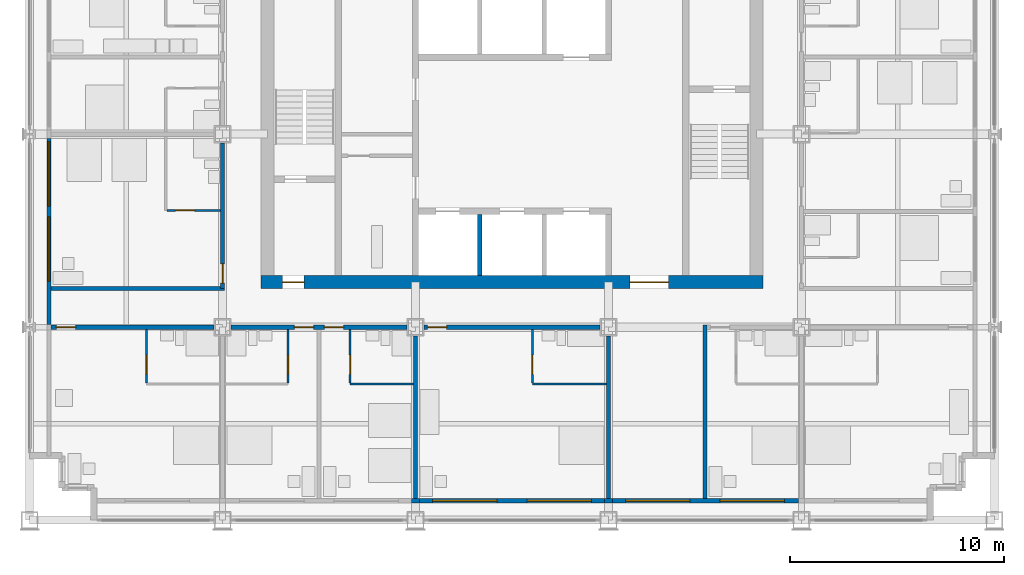
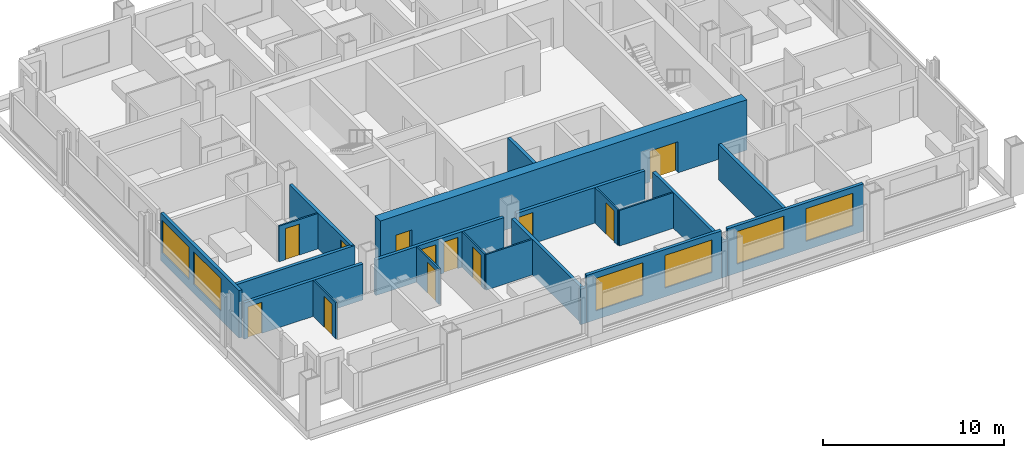
# One storey, part 9 of 17: 22 walls, 12 doors, 6 windows, 18 openings.
"""IFC4 building model written with IfcOpenShell, lengths in metres."""

import ifcopenshell
import ifcopenshell.guid

model = None  # the IFC model being written
_history = None  # IfcOwnerHistory: only IFC2X3 demands one
_inside = {}  # id of a spatial element -> (the spatial element, [elements in it])
_under = {}  # id of a project, library or spatial element -> (it, [spatial elements below it])
_declared = {}  # id of a project -> (the project, [libraries it declares])
_typed = {}  # id of a type object -> (the type object, [elements of that type])
_made_of = {}  # id of a material, layer set ... -> (it, [elements and type objects made of it])


def new_model(schema):
    """Start an empty IFC model of exactly this schema.

    Asked for "IFC4X3", IfcOpenShell would pick the latest addendum, in which some entities
    have other attributes; the version numbers below select the first issue.
    IFC2X3 requires an IfcOwnerHistory on every rooted entity: one is made here for all.
    """
    global model, _history
    if schema == "IFC4X3":
        model = ifcopenshell.file(schema_version=(4, 3, 0, 0))
    else:
        model = ifcopenshell.file(schema=schema)
    _inside.clear()
    _under.clear()
    _declared.clear()
    _typed.clear()
    _made_of.clear()
    _history = None
    if model.schema == "IFC2X3":
        org = make("IfcOrganization", Name="unknown")
        user = make(
            "IfcPersonAndOrganization",
            ThePerson=make("IfcPerson", FamilyName="unknown"),
            TheOrganization=org,
        )
        app = make(
            "IfcApplication",
            ApplicationDeveloper=org,
            Version="unknown",
            ApplicationFullName="unknown",
            ApplicationIdentifier="unknown",
        )
        _history = make(
            "IfcOwnerHistory",
            OwningUser=user,
            OwningApplication=app,
            ChangeAction="ADDED",
            CreationDate=0,
        )
    return model


def make(cls, **values):
    """One entity of the class cls with the attributes given. An attribute that is None is left unset."""
    return model.create_entity(
        cls, **{name: value for name, value in values.items() if value is not None}
    )


def rooted(cls, **values):
    """An entity with a GlobalId (a new one), such as an element, a storey or a relation."""
    return make(cls, GlobalId=ifcopenshell.guid.new(), OwnerHistory=_history, **values)


def si_unit(unit_type, name, prefix=None):
    """IfcSIUnit, for example si_unit("LENGTHUNIT", "METRE", prefix="MILLI")."""
    return make("IfcSIUnit", UnitType=unit_type, Prefix=prefix, Name=name)


def assignment(units):
    """IfcUnitAssignment: the units of a project."""
    return None if units is None else make("IfcUnitAssignment", Units=units)


def point(xyz):
    """IfcCartesianPoint."""
    return None if xyz is None else make("IfcCartesianPoint", Coordinates=xyz)


def direction(xyz):
    """IfcDirection."""
    return None if xyz is None else make("IfcDirection", DirectionRatios=xyz)


def frame(location, z_axis=None, x_axis=None):
    """IfcAxis2Placement3D, a coordinate frame: its origin and axes. An axis left out is left unset."""
    return make(
        "IfcAxis2Placement3D",
        Location=point(location),
        Axis=direction(z_axis),
        RefDirection=direction(x_axis),
    )


def frame_2d(location, x_axis=None):
    """IfcAxis2Placement2D, a coordinate frame in the plane: its origin and x axis."""
    return make(
        "IfcAxis2Placement2D", Location=point(location), RefDirection=direction(x_axis)
    )


def origin():
    """The frame at (0, 0, 0) with its axes left unset."""
    return frame((0.0, 0.0, 0.0))


def place(relative_to, where):
    """IfcLocalPlacement: puts the frame where relative to a parent placement (None: the world)."""
    return make(
        "IfcLocalPlacement", PlacementRelTo=relative_to, RelativePlacement=where
    )


def context(
    kind, dimensions, precision=None, world=None, true_north=None, identifier=None
):
    """IfcGeometricRepresentationContext, for example the 3D "Model" context."""
    return make(
        "IfcGeometricRepresentationContext",
        ContextIdentifier=identifier,
        ContextType=kind,
        CoordinateSpaceDimension=dimensions,
        Precision=precision,
        WorldCoordinateSystem=world,
        TrueNorth=true_north,
    )


def subcontext(parent, identifier, kind, view, scale=None):
    """IfcGeometricRepresentationSubContext, for example "Body" below "Model"."""
    return make(
        "IfcGeometricRepresentationSubContext",
        ContextIdentifier=identifier,
        ContextType=kind,
        ParentContext=parent,
        TargetScale=scale,
        TargetView=view,
    )


def project(units=None, contexts=None):
    """IfcProject with its units and contexts."""
    return rooted(
        "IfcProject",
        Name="project",
        RepresentationContexts=contexts,
        UnitsInContext=assignment(units),
    )


def spatial(cls, under=None, at=None, **own):
    """A site, building, storey or space (cls), placed at a placement, below another one or the project."""
    s = rooted(cls, ObjectPlacement=at, **own)
    if under is not None:
        _under.setdefault(under.id(), (under, []))[1].append(s)
    return s


def profile(cls, at=None, kind="AREA", **sizes):
    """A parametric profile (cls). Its sizes go by their IFC names, for example OverallWidth=200.0."""
    return make(cls, ProfileType=kind, Position=at, **sizes)


def rectangle(**sizes):
    """IfcRectangleProfileDef."""
    return profile("IfcRectangleProfileDef", **sizes)


def extrude(swept, where, along, depth):
    """IfcExtrudedAreaSolid: the profile swept, set in the frame where, extruded along a direction by depth."""
    return make(
        "IfcExtrudedAreaSolid",
        SweptArea=swept,
        Position=where,
        ExtrudedDirection=direction(along),
        Depth=depth,
    )


def shape(context_of_items, identifier, shape_type, items):
    """IfcShapeRepresentation: the items that make up one representation, for example the "Body"."""
    return make(
        "IfcShapeRepresentation",
        ContextOfItems=context_of_items,
        RepresentationIdentifier=identifier,
        RepresentationType=shape_type,
        Items=items,
    )


def material(Name=None, Category=None):
    """IfcMaterial."""
    return make("IfcMaterial", Name=Name, Category=Category)


def layer(
    of_material, thickness, ventilated=None, Name=None, Category=None, Priority=None
):
    """IfcMaterialLayer: one layer of a wall or slab, of a material (None: an air gap)."""
    return make(
        "IfcMaterialLayer",
        Material=of_material,
        LayerThickness=thickness,
        IsVentilated=ventilated,
        Name=Name,
        Category=Category,
        Priority=Priority,
    )


def layer_set(layers, Name=None):
    """IfcMaterialLayerSet."""
    return make("IfcMaterialLayerSet", MaterialLayers=layers, LayerSetName=Name)


def made_of(thing, what):
    """Note that an element or type object is made of a material, layer set ...; save() writes the relation."""
    if what is not None:
        _made_of.setdefault(what.id(), (what, []))[1].append(thing)
    return thing


def type_object(cls, material=None, **own):
    """A type object (cls), such as IfcWallType, which elements share."""
    return made_of(rooted(cls, **own), material)


def element(
    cls,
    number,
    at=None,
    inside=None,
    cuts=None,
    type_object=None,
    material=None,
    context=None,
    identifier="Body",
    shape_type=None,
    held_by="IfcProductDefinitionShape",
    body=None,
    shapes=None,
    **own,
):
    """One element of the class cls, such as IfcWall. Its Tag is "e" and its number.

    at: its placement. inside: the storey or other place that contains it. cuts: it is an
    opening in that element (IfcRelVoidsElement). A single representation is given by context,
    identifier, shape_type and body (its items); several are given by shapes. held_by: the class
    of the entity that holds the representations. save() writes the other relations.
    """
    e = rooted(cls, Tag="e%d" % number, ObjectPlacement=at, **own)
    if body is not None:
        shapes = [shape(context, identifier, shape_type, body)]
    if shapes is not None:
        e.Representation = make(held_by, Representations=shapes)
    if inside is not None:
        _inside.setdefault(inside.id(), (inside, []))[1].append(e)
    if cuts is not None:
        rooted(
            "IfcRelVoidsElement", RelatingBuildingElement=cuts, RelatedOpeningElement=e
        )
    if type_object is not None:
        _typed.setdefault(type_object.id(), (type_object, []))[1].append(e)
    return made_of(e, material)


def fill(opening, filler):
    """IfcRelFillsElement: the door or window that sits in an opening."""
    return rooted(
        "IfcRelFillsElement",
        RelatingOpeningElement=opening,
        RelatedBuildingElement=filler,
    )


def aggregate(whole, parts):
    """IfcRelAggregates: a whole, such as a stair, and the parts it consists of."""
    return rooted("IfcRelAggregates", RelatingObject=whole, RelatedObjects=parts)


def save(model, path):
    """Write the relations noted so far, then the file.

    IfcRelAggregates (storeys below a building ...), IfcRelContainedInSpatialStructure (elements
    in a storey), IfcRelDefinesByType, IfcRelAssociatesMaterial and IfcRelDeclares: one each for
    every whole, place, type object, material and project.
    """
    for whole, parts in _under.values():
        aggregate(whole, parts)
    for where, things in _inside.values():
        rooted(
            "IfcRelContainedInSpatialStructure",
            RelatedElements=things,
            RelatingStructure=where,
        )
    for kind, things in _typed.values():
        rooted("IfcRelDefinesByType", RelatedObjects=things, RelatingType=kind)
    for what, things in _made_of.values():
        rooted("IfcRelAssociatesMaterial", RelatedObjects=things, RelatingMaterial=what)
    for by, libraries in _declared.values():
        rooted("IfcRelDeclares", RelatingContext=by, RelatedDefinitions=libraries)
    model.write(path)


model = new_model("IFC4")

# Units and contexts
model_context = context("Model", 3, precision=1e-05, world=origin(), true_north=direction((0.0, 1.0)))
body_context = subcontext(model_context, "Body", "Model", "MODEL_VIEW")
ifc_project = project(units=[si_unit("LENGTHUNIT", "METRE"), si_unit("AREAUNIT", "SQUARE_METRE"), si_unit("VOLUMEUNIT", "CUBIC_METRE"), si_unit("PLANEANGLEUNIT", "RADIAN"), si_unit("MASSUNIT", "GRAM", prefix="KILO")], contexts=[model_context])

# Site, building, storey
site_placement = place(None, origin())
site = spatial("IfcSite", under=ifc_project, at=site_placement, CompositionType="ELEMENT")
building_placement = place(site_placement, origin())
building = spatial("IfcBuilding", under=site, at=building_placement, Name="Loomwork Tower", CompositionType="ELEMENT")
storey_placement = place(building_placement, frame((0.0, 0.0, 138.39990234375)))
storey = spatial("IfcBuildingStorey", under=building, at=storey_placement, Name="L37", CompositionType="ELEMENT", Elevation=138.39990234375)

# Wall, openings, doors
ifc_material_1 = material(Name="Concrete 14000 psi (97 MPa)", Category="concrete")
ifc_layer_1 = layer(ifc_material_1, 0.60009765625)
ifc_layer_set_1 = layer_set([ifc_layer_1], Name="Core shear wall 600")
wall_type_1 = type_object("IfcWallType", Name="Core shear wall 600", PredefinedType="SHEAR", material=ifc_layer_set_1)
wall_1_placement = place(storey_placement, frame((10.800048828125, 11.10009765625, 0.0), z_axis=(0.0, 0.0, 1.0), x_axis=(1.0, 0.0, 0.0)))
wall_1 = element("IfcWall", 1, at=wall_1_placement, inside=storey, type_object=wall_type_1, Name="Core wall south L37", PredefinedType="SHEAR", context=body_context, shape_type="SweptSolid", body=[
    extrude(rectangle(XDim=23.39990234375, YDim=0.60009765625, at=frame_2d((11.699951171875, 0.0))), origin(), (0.0, 0.0, 1.0), 3.400146484375),
])
opening_1_placement = place(wall_1_placement, frame((1.0, 0.0, 0.0)))
opening_1 = element("IfcOpeningElement", 2, at=opening_1_placement, cuts=wall_1, Name="Opening D4", PredefinedType="OPENING", context=body_context, shape_type="SweptSolid", body=[
    extrude(rectangle(XDim=1.0, YDim=2.10009765625, at=frame_2d((0.5, 1.050048828125))), frame((0.0, 0.31005859375, 0.0), z_axis=(0.0, -1.0, 0.0), x_axis=(1.0, 0.0, 0.0)), (0.0, 0.0, 1.0), 0.6201171875),
])
opening_2_placement = place(wall_1_placement, frame((17.199951171875, 0.0, 0.0)))
opening_2 = element("IfcOpeningElement", 3, at=opening_2_placement, cuts=wall_1, Name="Opening D6", PredefinedType="OPENING", context=body_context, shape_type="SweptSolid", body=[
    extrude(rectangle(XDim=1.800048828125, YDim=2.10009765625, at=frame_2d((0.89990234375, 1.050048828125))), frame((0.0, 0.31005859375, 0.0), z_axis=(0.0, -1.0, 0.0), x_axis=(1.0, 0.0, 0.0)), (0.0, 0.0, 1.0), 0.6201171875),
])
ifc_material_2 = material(Name="Hollow metal door and frame")
door_type_1 = type_object("IfcDoorType", Name="Lobby passage double door 1800", OperationType="DOUBLE_DOOR_SINGLE_SWING", PredefinedType="DOOR", material=ifc_material_2)
door_1_placement = place(opening_2_placement, origin())
door_1 = element("IfcDoor", 4, at=door_1_placement, inside=storey, type_object=door_type_1, Name="Lobby passage door south", OperationType="DOUBLE_DOOR_SINGLE_SWING", OverallHeight=2.10009765625, OverallWidth=1.800048828125, PredefinedType="DOOR", context=body_context, shape_type="SweptSolid", body=[
    extrude(rectangle(XDim=1.800048828125, YDim=2.10009765625, at=frame_2d((0.89990234375, 1.050048828125))), frame((0.0, 0.02490234375, 0.0), z_axis=(0.0, -1.0, 0.0), x_axis=(1.0, 0.0, 0.0)), (0.0, 0.0, 1.0), 0.050048828125),
])
fill(opening_2, door_1)
ifc_material_3 = material(Name="Hollow metal door and frame")
door_type_2 = type_object("IfcDoorType", Name="Stair door 1000", OperationType="SINGLE_SWING_RIGHT", PredefinedType="DOOR", material=ifc_material_3)
door_2_placement = place(opening_1_placement, origin())
door_2 = element("IfcDoor", 5, at=door_2_placement, inside=storey, type_object=door_type_2, Name="Stair A vestibule door", OperationType="SINGLE_SWING_LEFT", OverallHeight=2.10009765625, OverallWidth=1.0, PredefinedType="DOOR", context=body_context, shape_type="SweptSolid", body=[
    extrude(rectangle(XDim=1.0, YDim=2.10009765625, at=frame_2d((0.5, 1.050048828125))), frame((0.0, 0.02490234375, 0.0), z_axis=(0.0, -1.0, 0.0), x_axis=(1.0, 0.0, 0.0)), (0.0, 0.0, 1.0), 0.050048828125),
])
fill(opening_1, door_2)

# Wall, opening, door
ifc_material_4 = material(Name="Gypsum board on steel studs, one-hour", Category="steel")
ifc_layer_2 = layer(ifc_material_4, 0.199951171875)
ifc_layer_set_2 = layer_set([ifc_layer_2], Name="Corridor wall 200")
wall_type_2 = type_object("IfcWallType", Name="Corridor wall 200", PredefinedType="PARTITIONING", material=ifc_layer_set_2)
wall_2_placement = place(storey_placement, frame((1.0, 9.0, 0.0), z_axis=(0.0, 0.0, 1.0), x_axis=(1.0, 0.0, 0.0)))
wall_2 = element("IfcWall", 6, at=wall_2_placement, inside=storey, type_object=wall_type_2, Name="South corridor wall 1", PredefinedType="PARTITIONING", context=body_context, shape_type="SweptSolid", body=[
    extrude(rectangle(XDim=7.60009765625, YDim=0.199951171875, at=frame_2d((3.800048828125, 0.0))), origin(), (0.0, 0.0, 1.0), 2.43798828125),
])
opening_3_placement = place(wall_2_placement, frame((0.25, 0.0, 0.0)))
opening_3 = element("IfcOpeningElement", 7, at=opening_3_placement, cuts=wall_2, Name="Opening D1", PredefinedType="OPENING", context=body_context, shape_type="SweptSolid", body=[
    extrude(rectangle(XDim=0.89990234375, YDim=2.10009765625, at=frame_2d((0.449951171875, 1.050048828125))), frame((0.0, 0.10986328125, 0.0), z_axis=(0.0, -1.0, 0.0), x_axis=(1.0, 0.0, 0.0)), (0.0, 0.0, 1.0), 0.219970703125),
])
ifc_material_5 = material(Name="Hollow metal door and frame")
door_type_3 = type_object("IfcDoorType", Name="Guest room entry door 900", OperationType="SINGLE_SWING_LEFT", PredefinedType="DOOR", material=ifc_material_5)
door_3_placement = place(opening_3_placement, frame((0.89990234375, 0.0, 0.0), z_axis=(0.0, 0.0, 1.0), x_axis=(-1.0, 0.0, 0.0)))
door_3 = element("IfcDoor", 8, at=door_3_placement, inside=storey, type_object=door_type_3, Name="Guest room entry door L37 1", OperationType="SINGLE_SWING_RIGHT", OverallHeight=2.10009765625, OverallWidth=0.89990234375, PredefinedType="DOOR", context=body_context, shape_type="SweptSolid", body=[
    extrude(rectangle(XDim=0.89990234375, YDim=2.10009765625, at=frame_2d((0.449951171875, 1.050048828125))), frame((0.0, 0.02490234375, 0.0), z_axis=(0.0, -1.0, 0.0), x_axis=(1.0, 0.0, 0.0)), (0.0, 0.0, 1.0), 0.050048828125),
])
fill(opening_3, door_3)

# Wall, openings, doors
wall_3_placement = place(storey_placement, frame((9.39990234375, 9.0, 0.0), z_axis=(0.0, 0.0, 1.0), x_axis=(1.0, 0.0, 0.0)))
wall_3 = element("IfcWall", 9, at=wall_3_placement, inside=storey, type_object=wall_type_2, Name="South corridor wall 2", PredefinedType="PARTITIONING", context=body_context, shape_type="SweptSolid", body=[
    extrude(rectangle(XDim=8.2001953125, YDim=0.199951171875, at=frame_2d((4.10009765625, 0.0))), origin(), (0.0, 0.0, 1.0), 2.405029296875),
])
opening_4_placement = place(wall_3_placement, frame((2.949951171875, 0.0, 0.0)))
opening_4 = element("IfcOpeningElement", 10, at=opening_4_placement, cuts=wall_3, Name="Opening D1", PredefinedType="OPENING", context=body_context, shape_type="SweptSolid", body=[
    extrude(rectangle(XDim=0.89990234375, YDim=2.10009765625, at=frame_2d((0.449951171875, 1.050048828125))), frame((0.0, 0.10986328125, 0.0), z_axis=(0.0, -1.0, 0.0), x_axis=(1.0, 0.0, 0.0)), (0.0, 0.0, 1.0), 0.219970703125),
])
opening_5_placement = place(wall_3_placement, frame((4.35009765625, 0.0, 0.0)))
opening_5 = element("IfcOpeningElement", 11, at=opening_5_placement, cuts=wall_3, Name="Opening D1", PredefinedType="OPENING", context=body_context, shape_type="SweptSolid", body=[
    extrude(rectangle(XDim=0.89990234375, YDim=2.10009765625, at=frame_2d((0.449951171875, 1.050048828125))), frame((0.0, 0.10986328125, 0.0), z_axis=(0.0, -1.0, 0.0), x_axis=(1.0, 0.0, 0.0)), (0.0, 0.0, 1.0), 0.219970703125),
])
door_4_placement = place(opening_4_placement, frame((0.89990234375, 0.0, 0.0), z_axis=(0.0, 0.0, 1.0), x_axis=(-1.0, 0.0, 0.0)))
door_4 = element("IfcDoor", 12, at=door_4_placement, inside=storey, type_object=door_type_3, Name="Guest room entry door L37 2", OperationType="SINGLE_SWING_LEFT", OverallHeight=2.10009765625, OverallWidth=0.89990234375, PredefinedType="DOOR", context=body_context, shape_type="SweptSolid", body=[
    extrude(rectangle(XDim=0.89990234375, YDim=2.10009765625, at=frame_2d((0.449951171875, 1.050048828125))), frame((0.0, 0.02490234375, 0.0), z_axis=(0.0, -1.0, 0.0), x_axis=(1.0, 0.0, 0.0)), (0.0, 0.0, 1.0), 0.050048828125),
])
fill(opening_4, door_4)
door_5_placement = place(opening_5_placement, frame((0.89990234375, 0.0, 0.0), z_axis=(0.0, 0.0, 1.0), x_axis=(-1.0, 0.0, 0.0)))
door_5 = element("IfcDoor", 13, at=door_5_placement, inside=storey, type_object=door_type_3, Name="Guest room entry door L37 3", OperationType="SINGLE_SWING_RIGHT", OverallHeight=2.10009765625, OverallWidth=0.89990234375, PredefinedType="DOOR", context=body_context, shape_type="SweptSolid", body=[
    extrude(rectangle(XDim=0.89990234375, YDim=2.10009765625, at=frame_2d((0.449951171875, 1.050048828125))), frame((0.0, 0.02490234375, 0.0), z_axis=(0.0, -1.0, 0.0), x_axis=(1.0, 0.0, 0.0)), (0.0, 0.0, 1.0), 0.050048828125),
])
fill(opening_5, door_5)

# Wall, opening, door
wall_4_placement = place(storey_placement, frame((18.39990234375, 9.0, 0.0), z_axis=(0.0, 0.0, 1.0), x_axis=(1.0, 0.0, 0.0)))
wall_4 = element("IfcWall", 14, at=wall_4_placement, inside=storey, type_object=wall_type_2, Name="South corridor wall 3", PredefinedType="PARTITIONING", context=body_context, shape_type="SweptSolid", body=[
    extrude(rectangle(XDim=8.2001953125, YDim=0.199951171875, at=frame_2d((4.10009765625, 0.0))), origin(), (0.0, 0.0, 1.0), 2.405029296875),
])
opening_6_placement = place(wall_4_placement, frame((0.14990234375, 0.0, 0.0)))
opening_6 = element("IfcOpeningElement", 15, at=opening_6_placement, cuts=wall_4, Name="Opening D1", PredefinedType="OPENING", context=body_context, shape_type="SweptSolid", body=[
    extrude(rectangle(XDim=0.89990234375, YDim=2.10009765625, at=frame_2d((0.449951171875, 1.050048828125))), frame((0.0, 0.10986328125, 0.0), z_axis=(0.0, -1.0, 0.0), x_axis=(1.0, 0.0, 0.0)), (0.0, 0.0, 1.0), 0.219970703125),
])
door_6_placement = place(opening_6_placement, frame((0.89990234375, 0.0, 0.0), z_axis=(0.0, 0.0, 1.0), x_axis=(-1.0, 0.0, 0.0)))
door_6 = element("IfcDoor", 16, at=door_6_placement, inside=storey, type_object=door_type_3, Name="Guest room entry door L37 4", OperationType="SINGLE_SWING_RIGHT", OverallHeight=2.10009765625, OverallWidth=0.89990234375, PredefinedType="DOOR", context=body_context, shape_type="SweptSolid", body=[
    extrude(rectangle(XDim=0.89990234375, YDim=2.10009765625, at=frame_2d((0.449951171875, 1.050048828125))), frame((0.0, 0.02490234375, 0.0), z_axis=(0.0, -1.0, 0.0), x_axis=(1.0, 0.0, 0.0)), (0.0, 0.0, 1.0), 0.050048828125),
])
fill(opening_6, door_6)

wall_5_placement = place(storey_placement, frame((9.0, 10.800048828125, 0.0), z_axis=(0.0, 0.0, 1.0), x_axis=(0.0, 1.0, 0.0)))
wall_5 = element("IfcWall", 17, at=wall_5_placement, inside=storey, type_object=wall_type_2, Name="West corridor wall 1", PredefinedType="PARTITIONING", context=body_context, shape_type="SweptSolid", body=[
    extrude(rectangle(XDim=6.800048828125, YDim=0.199951171875, at=frame_2d((3.39990234375, 0.0))), origin(), (0.0, 0.0, 1.0), 2.405029296875),
])
opening_7_placement = place(wall_5_placement, frame((0.25, 0.0, 0.0)))
opening_7 = element("IfcOpeningElement", 18, at=opening_7_placement, cuts=wall_5, Name="Opening D1", PredefinedType="OPENING", context=body_context, shape_type="SweptSolid", body=[
    extrude(rectangle(XDim=0.89990234375, YDim=2.10009765625, at=frame_2d((0.449951171875, 1.050048828125))), frame((0.0, 0.10986328125, 0.0), z_axis=(0.0, -1.0, 0.0), x_axis=(1.0, 0.0, 0.0)), (0.0, 0.0, 1.0), 0.219970703125),
])
door_7_placement = place(opening_7_placement, origin())
door_7 = element("IfcDoor", 19, at=door_7_placement, inside=storey, type_object=door_type_3, Name="Guest room entry door L37 14", OperationType="SINGLE_SWING_LEFT", OverallHeight=2.10009765625, OverallWidth=0.89990234375, PredefinedType="DOOR", context=body_context, shape_type="SweptSolid", body=[
    extrude(rectangle(XDim=0.89990234375, YDim=2.10009765625, at=frame_2d((0.449951171875, 1.050048828125))), frame((0.0, 0.02490234375, 0.0), z_axis=(0.0, -1.0, 0.0), x_axis=(1.0, 0.0, 0.0)), (0.0, 0.0, 1.0), 0.050048828125),
])
fill(opening_7, door_7)

# Wall
wall_6_placement = place(storey_placement, frame((1.0, 10.800048828125, 0.0), z_axis=(0.0, 0.0, 1.0), x_axis=(1.0, 0.0, 0.0)))
element("IfcWall", 20, at=wall_6_placement, inside=storey, type_object=wall_type_2, Name="West band end wall S", PredefinedType="PARTITIONING", context=body_context, shape_type="SweptSolid", body=[
    extrude(rectangle(XDim=8.10009765625, YDim=0.199951171875, at=frame_2d((4.050048828125, 0.0))), origin(), (0.0, 0.0, 1.0), 2.404052734375),
])

# Wall, opening, door
ifc_material_6 = material(Name="Cement board on steel studs", Category="steel")
ifc_layer_3 = layer(ifc_material_6, 0.10009765625)
ifc_layer_set_3 = layer_set([ifc_layer_3], Name="En-suite partition 100")
wall_type_3 = type_object("IfcWallType", Name="En-suite partition 100", PredefinedType="PARTITIONING", material=ifc_layer_set_3)
wall_7_placement = place(storey_placement, frame((5.449951171875, 8.89990234375, 0.0), z_axis=(0.0, 0.0, 1.0), x_axis=(0.0, -1.0, 0.0)))
wall_7 = element("IfcWall", 21, at=wall_7_placement, inside=storey, type_object=wall_type_3, Name="En-suite side wall L37 room 1", PredefinedType="PARTITIONING", context=body_context, shape_type="SweptSolid", body=[
    extrude(rectangle(XDim=2.5, YDim=0.10009765625, at=frame_2d((1.25, 0.0))), origin(), (0.0, 0.0, 1.0), 2.43798828125),
])
opening_8_placement = place(wall_7_placement, frame((1.199951171875, 0.0, 0.0)))
opening_8 = element("IfcOpeningElement", 22, at=opening_8_placement, cuts=wall_7, Name="Opening D3", PredefinedType="OPENING", context=body_context, shape_type="SweptSolid", body=[
    extrude(rectangle(XDim=0.89990234375, YDim=2.10009765625, at=frame_2d((0.449951171875, 1.050048828125))), frame((0.0, 0.06005859375, 0.0), z_axis=(0.0, -1.0, 0.0), x_axis=(1.0, 0.0, 0.0)), (0.0, 0.0, 1.0), 0.1201171875),
])
ifc_material_7 = material(Name="Hollow metal door and frame")
door_type_4 = type_object("IfcDoorType", Name="Accessible en-suite door 900", OperationType="SLIDING_TO_LEFT", PredefinedType="DOOR", material=ifc_material_7)
door_8_placement = place(opening_8_placement, origin())
door_8 = element("IfcDoor", 23, at=door_8_placement, inside=storey, type_object=door_type_4, Name="Accessible en-suite door room 1", OperationType="SLIDING_TO_LEFT", OverallHeight=2.10009765625, OverallWidth=0.89990234375, PredefinedType="DOOR", context=body_context, shape_type="SweptSolid", body=[
    extrude(rectangle(XDim=0.89990234375, YDim=2.10009765625, at=frame_2d((0.449951171875, 1.050048828125))), frame((0.0, 0.02490234375, 0.0), z_axis=(0.0, -1.0, 0.0), x_axis=(1.0, 0.0, 0.0)), (0.0, 0.0, 1.0), 0.050048828125),
])
fill(opening_8, door_8)

wall_8_placement = place(storey_placement, frame((12.050048828125, 8.89990234375, 0.0), z_axis=(0.0, 0.0, 1.0), x_axis=(0.0, -1.0, 0.0)))
wall_8 = element("IfcWall", 24, at=wall_8_placement, inside=storey, type_object=wall_type_3, Name="En-suite side wall L37 room 2", PredefinedType="PARTITIONING", context=body_context, shape_type="SweptSolid", body=[
    extrude(rectangle(XDim=2.5, YDim=0.10009765625, at=frame_2d((1.25, 0.0))), origin(), (0.0, 0.0, 1.0), 2.404052734375),
])
opening_9_placement = place(wall_8_placement, frame((1.199951171875, 0.0, 0.0)))
opening_9 = element("IfcOpeningElement", 25, at=opening_9_placement, cuts=wall_8, Name="Opening D2", PredefinedType="OPENING", context=body_context, shape_type="SweptSolid", body=[
    extrude(rectangle(XDim=0.89990234375, YDim=2.10009765625, at=frame_2d((0.449951171875, 1.050048828125))), frame((0.0, 0.06005859375, 0.0), z_axis=(0.0, -1.0, 0.0), x_axis=(1.0, 0.0, 0.0)), (0.0, 0.0, 1.0), 0.1201171875),
])
ifc_material_8 = material(Name="Hollow metal door and frame")
door_type_5 = type_object("IfcDoorType", Name="En-suite door 900", OperationType="SINGLE_SWING_LEFT", PredefinedType="DOOR", material=ifc_material_8)
door_9_placement = place(opening_9_placement, frame((0.89990234375, 0.0, 0.0), z_axis=(0.0, 0.0, 1.0), x_axis=(-1.0, 0.0, 0.0)))
door_9 = element("IfcDoor", 26, at=door_9_placement, inside=storey, type_object=door_type_5, Name="En-suite door room 2", OperationType="SINGLE_SWING_LEFT", OverallHeight=2.10009765625, OverallWidth=0.89990234375, PredefinedType="DOOR", context=body_context, shape_type="SweptSolid", body=[
    extrude(rectangle(XDim=0.89990234375, YDim=2.10009765625, at=frame_2d((0.449951171875, 1.050048828125))), frame((0.0, 0.02490234375, 0.0), z_axis=(0.0, -1.0, 0.0), x_axis=(1.0, 0.0, 0.0)), (0.0, 0.0, 1.0), 0.050048828125),
])
fill(opening_9, door_9)

# Wall
wall_9_placement = place(storey_placement, frame((14.949951171875, 6.35009765625, 0.0), z_axis=(0.0, 0.0, 1.0), x_axis=(1.0, 0.0, 0.0)))
element("IfcWall", 27, at=wall_9_placement, inside=storey, type_object=wall_type_3, Name="En-suite wall L37 room 3", PredefinedType="PARTITIONING", context=body_context, shape_type="SweptSolid", body=[
    extrude(rectangle(XDim=2.949951171875, YDim=0.10009765625, at=frame_2d((1.47509765625, 0.0))), origin(), (0.0, 0.0, 1.0), 2.404052734375),
])

# Wall, opening, door
wall_10_placement = place(storey_placement, frame((14.949951171875, 8.89990234375, 0.0), z_axis=(0.0, 0.0, 1.0), x_axis=(0.0, -1.0, 0.0)))
wall_10 = element("IfcWall", 28, at=wall_10_placement, inside=storey, type_object=wall_type_3, Name="En-suite side wall L37 room 3", PredefinedType="PARTITIONING", context=body_context, shape_type="SweptSolid", body=[
    extrude(rectangle(XDim=2.5, YDim=0.10009765625, at=frame_2d((1.25, 0.0))), origin(), (0.0, 0.0, 1.0), 2.404052734375),
])
opening_10_placement = place(wall_10_placement, frame((1.199951171875, 0.0, 0.0)))
opening_10 = element("IfcOpeningElement", 29, at=opening_10_placement, cuts=wall_10, Name="Opening D2", PredefinedType="OPENING", context=body_context, shape_type="SweptSolid", body=[
    extrude(rectangle(XDim=0.89990234375, YDim=2.10009765625, at=frame_2d((0.449951171875, 1.050048828125))), frame((0.0, 0.06005859375, 0.0), z_axis=(0.0, -1.0, 0.0), x_axis=(1.0, 0.0, 0.0)), (0.0, 0.0, 1.0), 0.1201171875),
])
door_10_placement = place(opening_10_placement, origin())
door_10 = element("IfcDoor", 30, at=door_10_placement, inside=storey, type_object=door_type_5, Name="En-suite door room 3", OperationType="SINGLE_SWING_RIGHT", OverallHeight=2.10009765625, OverallWidth=0.89990234375, PredefinedType="DOOR", context=body_context, shape_type="SweptSolid", body=[
    extrude(rectangle(XDim=0.89990234375, YDim=2.10009765625, at=frame_2d((0.449951171875, 1.050048828125))), frame((0.0, 0.02490234375, 0.0), z_axis=(0.0, -1.0, 0.0), x_axis=(1.0, 0.0, 0.0)), (0.0, 0.0, 1.0), 0.050048828125),
])
fill(opening_10, door_10)

# Wall
wall_11_placement = place(storey_placement, frame((23.449951171875, 6.35009765625, 0.0), z_axis=(0.0, 0.0, 1.0), x_axis=(1.0, 0.0, 0.0)))
element("IfcWall", 31, at=wall_11_placement, inside=storey, type_object=wall_type_3, Name="En-suite wall L37 room 4", PredefinedType="PARTITIONING", context=body_context, shape_type="SweptSolid", body=[
    extrude(rectangle(XDim=3.449951171875, YDim=0.10009765625, at=frame_2d((1.72509765625, 0.0))), origin(), (0.0, 0.0, 1.0), 2.404052734375),
])

# Wall, opening, door
wall_12_placement = place(storey_placement, frame((23.449951171875, 8.89990234375, 0.0), z_axis=(0.0, 0.0, 1.0), x_axis=(0.0, -1.0, 0.0)))
wall_12 = element("IfcWall", 32, at=wall_12_placement, inside=storey, type_object=wall_type_3, Name="En-suite side wall L37 room 4", PredefinedType="PARTITIONING", context=body_context, shape_type="SweptSolid", body=[
    extrude(rectangle(XDim=2.5, YDim=0.10009765625, at=frame_2d((1.25, 0.0))), origin(), (0.0, 0.0, 1.0), 2.404052734375),
])
opening_11_placement = place(wall_12_placement, frame((1.199951171875, 0.0, 0.0)))
opening_11 = element("IfcOpeningElement", 33, at=opening_11_placement, cuts=wall_12, Name="Opening D2", PredefinedType="OPENING", context=body_context, shape_type="SweptSolid", body=[
    extrude(rectangle(XDim=0.89990234375, YDim=2.10009765625, at=frame_2d((0.449951171875, 1.050048828125))), frame((0.0, 0.06005859375, 0.0), z_axis=(0.0, -1.0, 0.0), x_axis=(1.0, 0.0, 0.0)), (0.0, 0.0, 1.0), 0.1201171875),
])
door_11_placement = place(opening_11_placement, origin())
door_11 = element("IfcDoor", 34, at=door_11_placement, inside=storey, type_object=door_type_5, Name="En-suite door room 4", OperationType="SINGLE_SWING_RIGHT", OverallHeight=2.10009765625, OverallWidth=0.89990234375, PredefinedType="DOOR", context=body_context, shape_type="SweptSolid", body=[
    extrude(rectangle(XDim=0.89990234375, YDim=2.10009765625, at=frame_2d((0.449951171875, 1.050048828125))), frame((0.0, 0.02490234375, 0.0), z_axis=(0.0, -1.0, 0.0), x_axis=(1.0, 0.0, 0.0)), (0.0, 0.0, 1.0), 0.050048828125),
])
fill(opening_11, door_11)

wall_13_placement = place(storey_placement, frame((8.89990234375, 14.449951171875, 0.0), z_axis=(0.0, 0.0, 1.0), x_axis=(-1.0, 0.0, 0.0)))
wall_13 = element("IfcWall", 35, at=wall_13_placement, inside=storey, type_object=wall_type_3, Name="En-suite side wall L37 room 14", PredefinedType="PARTITIONING", context=body_context, shape_type="SweptSolid", body=[
    extrude(rectangle(XDim=2.5, YDim=0.10009765625, at=frame_2d((1.25, 0.0))), origin(), (0.0, 0.0, 1.0), 2.404052734375),
])
opening_12_placement = place(wall_13_placement, frame((1.199951171875, 0.0, 0.0)))
opening_12 = element("IfcOpeningElement", 36, at=opening_12_placement, cuts=wall_13, Name="Opening D2", PredefinedType="OPENING", context=body_context, shape_type="SweptSolid", body=[
    extrude(rectangle(XDim=0.89990234375, YDim=2.10009765625, at=frame_2d((0.449951171875, 1.050048828125))), frame((0.0, 0.06005859375, 0.0), z_axis=(0.0, -1.0, 0.0), x_axis=(1.0, 0.0, 0.0)), (0.0, 0.0, 1.0), 0.1201171875),
])
door_12_placement = place(opening_12_placement, frame((0.89990234375, 0.0, 0.0), z_axis=(0.0, 0.0, 1.0), x_axis=(-1.0, 0.0, 0.0)))
door_12 = element("IfcDoor", 37, at=door_12_placement, inside=storey, type_object=door_type_5, Name="En-suite door room 14", OperationType="SINGLE_SWING_LEFT", OverallHeight=2.10009765625, OverallWidth=0.89990234375, PredefinedType="DOOR", context=body_context, shape_type="SweptSolid", body=[
    extrude(rectangle(XDim=0.89990234375, YDim=2.10009765625, at=frame_2d((0.449951171875, 1.050048828125))), frame((0.0, 0.02490234375, 0.0), z_axis=(0.0, -1.0, 0.0), x_axis=(1.0, 0.0, 0.0)), (0.0, 0.0, 1.0), 0.050048828125),
])
fill(opening_12, door_12)

# Walls
ifc_material_9 = material(Name="Gypsum board on steel studs, acoustic", Category="steel")
ifc_layer_4 = layer(ifc_material_9, 0.199951171875)
ifc_layer_set_4 = layer_set([ifc_layer_4], Name="Guest room party wall 200")
wall_type_4 = type_object("IfcWallType", Name="Guest room party wall 200", PredefinedType="PARTITIONING", material=ifc_layer_set_4)
for number, where, z_axis, x_axis, name in (
    (38, (18.0, 8.60009765625, 0.0), (0.0, 0.0, 1.0), (0.0, -1.0, 0.0), "Guest room party wall S 18"),
    (39, (27.0, 8.60009765625, 0.0), (0.0, 0.0, 1.0), (0.0, -1.0, 0.0), "Guest room party wall S 27"),
):
    element("IfcWall", number, at=place(storey_placement, frame(where, z_axis=z_axis, x_axis=x_axis)), inside=storey, type_object=wall_type_4, Name=name, PredefinedType="PARTITIONING", context=body_context, shape_type="SweptSolid", body=[
        extrude(rectangle(XDim=7.60009765625, YDim=0.199951171875, at=frame_2d((3.800048828125, 0.0))), origin(), (0.0, 0.0, 1.0), 2.405029296875),
    ])
wall_14_placement = place(storey_placement, frame((31.5, 9.10009765625, 0.0), z_axis=(0.0, 0.0, 1.0), x_axis=(0.0, -1.0, 0.0)))
element("IfcWall", 40, at=wall_14_placement, inside=storey, type_object=wall_type_4, Name="Guest room party wall S 31.5", PredefinedType="PARTITIONING", context=body_context, shape_type="SweptSolid", body=[
    extrude(rectangle(XDim=8.10009765625, YDim=0.199951171875, at=frame_2d((4.050048828125, 0.0))), origin(), (0.0, 0.0, 1.0), 2.404052734375),
])
ifc_material_10 = material(Name="Insulated steel stud wall with gypsum lining", Category="steel")
ifc_layer_5 = layer(ifc_material_10, 0.199951171875)
ifc_layer_set_5 = layer_set([ifc_layer_5], Name="Inner skin wall 200")
wall_type_5 = type_object("IfcWallType", Name="Inner skin wall 200", PredefinedType="SOLIDWALL", material=ifc_layer_set_5)
wall_15_placement = place(storey_placement, frame((17.80615234375, 0.89990234375, 0.0), z_axis=(0.0, 0.0, 1.0), x_axis=(1.0, 0.0, 0.0)))
element("IfcWall", 41, at=wall_15_placement, inside=storey, type_object=wall_type_5, Name="Inner skin wall S bay 4", PredefinedType="SOLIDWALL", context=body_context, shape_type="SweptSolid", body=[
    extrude(rectangle(XDim=0.3876953125, YDim=0.199951171875, at=frame_2d((0.19384765625, 0.0))), origin(), (0.0, 0.0, 1.0), 2.404052734375),
])

# Wall, openings, windows
wall_16_placement = place(storey_placement, frame((18.19384765625, 0.89990234375, 0.0), z_axis=(0.0, 0.0, 1.0), x_axis=(1.0, 0.0, 0.0)))
wall_16 = element("IfcWall", 42, at=wall_16_placement, inside=storey, type_object=wall_type_5, Name="Inner skin wall S bay 5", PredefinedType="SOLIDWALL", context=body_context, shape_type="SweptSolid", body=[
    extrude(rectangle(XDim=8.6123046875, YDim=0.199951171875, at=frame_2d((4.30615234375, 0.0))), origin(), (0.0, 0.0, 1.0), 3.2001953125),
])
opening_13_placement = place(wall_16_placement, frame((0.606201171875, 0.0, 0.60009765625)))
opening_13 = element("IfcOpeningElement", 43, at=opening_13_placement, cuts=wall_16, Name="Opening CH1", PredefinedType="OPENING", context=body_context, shape_type="SweptSolid", body=[
    extrude(rectangle(XDim=3.0, YDim=2.199951171875, at=frame_2d((1.5, 1.10009765625))), frame((0.0, 0.10986328125, 0.0), z_axis=(0.0, -1.0, 0.0), x_axis=(1.0, 0.0, 0.0)), (0.0, 0.0, 1.0), 0.219970703125),
])
opening_14_placement = place(wall_16_placement, frame((5.006103515625, 0.0, 0.60009765625)))
opening_14 = element("IfcOpeningElement", 44, at=opening_14_placement, cuts=wall_16, Name="Opening CH1", PredefinedType="OPENING", context=body_context, shape_type="SweptSolid", body=[
    extrude(rectangle(XDim=3.0, YDim=2.199951171875, at=frame_2d((1.5, 1.10009765625))), frame((0.0, 0.10986328125, 0.0), z_axis=(0.0, -1.0, 0.0), x_axis=(1.0, 0.0, 0.0)), (0.0, 0.0, 1.0), 0.219970703125),
])
ifc_material_11 = material(Name="Aluminium frame with clear insulated glass", Category="aluminium")
window_type = type_object("IfcWindowType", Name="Chicago window 3000", PartitioningType="TRIPLE_PANEL_VERTICAL", PredefinedType="WINDOW", material=ifc_material_11)
window_1_placement = place(opening_13_placement, origin())
window_1 = element("IfcWindow", 45, at=window_1_placement, inside=storey, type_object=window_type, Name="Chicago window L37 bay 3", OverallHeight=2.199951171875, OverallWidth=3.0, PartitioningType="TRIPLE_PANEL_VERTICAL", PredefinedType="WINDOW", context=body_context, shape_type="SweptSolid", body=[
    extrude(rectangle(XDim=3.0, YDim=2.199951171875, at=frame_2d((1.5, 1.10009765625))), frame((0.0, 0.030029296875, 0.0), z_axis=(0.0, -1.0, 0.0), x_axis=(1.0, 0.0, 0.0)), (0.0, 0.0, 1.0), 0.06005859375),
])
fill(opening_13, window_1)
window_2_placement = place(opening_14_placement, origin())
window_2 = element("IfcWindow", 46, at=window_2_placement, inside=storey, type_object=window_type, Name="Chicago window L37 bay 3", OverallHeight=2.199951171875, OverallWidth=3.0, PartitioningType="TRIPLE_PANEL_VERTICAL", PredefinedType="WINDOW", context=body_context, shape_type="SweptSolid", body=[
    extrude(rectangle(XDim=3.0, YDim=2.199951171875, at=frame_2d((1.5, 1.10009765625))), frame((0.0, 0.030029296875, 0.0), z_axis=(0.0, -1.0, 0.0), x_axis=(1.0, 0.0, 0.0)), (0.0, 0.0, 1.0), 0.06005859375),
])
fill(opening_14, window_2)

# Wall
wall_17_placement = place(storey_placement, frame((26.80615234375, 0.89990234375, 0.0), z_axis=(0.0, 0.0, 1.0), x_axis=(1.0, 0.0, 0.0)))
element("IfcWall", 47, at=wall_17_placement, inside=storey, type_object=wall_type_5, Name="Inner skin wall S bay 6", PredefinedType="SOLIDWALL", context=body_context, shape_type="SweptSolid", body=[
    extrude(rectangle(XDim=0.3876953125, YDim=0.199951171875, at=frame_2d((0.19384765625, 0.0))), origin(), (0.0, 0.0, 1.0), 2.404052734375),
])

# Wall, openings, windows
wall_18_placement = place(storey_placement, frame((27.19384765625, 0.89990234375, 0.0), z_axis=(0.0, 0.0, 1.0), x_axis=(1.0, 0.0, 0.0)))
wall_18 = element("IfcWall", 48, at=wall_18_placement, inside=storey, type_object=wall_type_5, Name="Inner skin wall S bay 7", PredefinedType="SOLIDWALL", context=body_context, shape_type="SweptSolid", body=[
    extrude(rectangle(XDim=8.670654296875, YDim=0.199951171875, at=frame_2d((4.33544921875, 0.0))), origin(), (0.0, 0.0, 1.0), 3.2001953125),
])
opening_15_placement = place(wall_18_placement, frame((0.606201171875, 0.0, 0.60009765625)))
opening_15 = element("IfcOpeningElement", 49, at=opening_15_placement, cuts=wall_18, Name="Opening CH1", PredefinedType="OPENING", context=body_context, shape_type="SweptSolid", body=[
    extrude(rectangle(XDim=3.0, YDim=2.199951171875, at=frame_2d((1.5, 1.10009765625))), frame((0.0, 0.10986328125, 0.0), z_axis=(0.0, -1.0, 0.0), x_axis=(1.0, 0.0, 0.0)), (0.0, 0.0, 1.0), 0.219970703125),
])
opening_16_placement = place(wall_18_placement, frame((5.006103515625, 0.0, 0.60009765625)))
opening_16 = element("IfcOpeningElement", 50, at=opening_16_placement, cuts=wall_18, Name="Opening CH1", PredefinedType="OPENING", context=body_context, shape_type="SweptSolid", body=[
    extrude(rectangle(XDim=3.0, YDim=2.199951171875, at=frame_2d((1.5, 1.10009765625))), frame((0.0, 0.10986328125, 0.0), z_axis=(0.0, -1.0, 0.0), x_axis=(1.0, 0.0, 0.0)), (0.0, 0.0, 1.0), 0.219970703125),
])
window_3_placement = place(opening_15_placement, origin())
window_3 = element("IfcWindow", 51, at=window_3_placement, inside=storey, type_object=window_type, Name="Chicago window L37 bay 4", OverallHeight=2.199951171875, OverallWidth=3.0, PartitioningType="TRIPLE_PANEL_VERTICAL", PredefinedType="WINDOW", context=body_context, shape_type="SweptSolid", body=[
    extrude(rectangle(XDim=3.0, YDim=2.199951171875, at=frame_2d((1.5, 1.10009765625))), frame((0.0, 0.030029296875, 0.0), z_axis=(0.0, -1.0, 0.0), x_axis=(1.0, 0.0, 0.0)), (0.0, 0.0, 1.0), 0.06005859375),
])
fill(opening_15, window_3)
window_4_placement = place(opening_16_placement, origin())
window_4 = element("IfcWindow", 52, at=window_4_placement, inside=storey, type_object=window_type, Name="Chicago window L37 bay 4", OverallHeight=2.199951171875, OverallWidth=3.0, PartitioningType="TRIPLE_PANEL_VERTICAL", PredefinedType="WINDOW", context=body_context, shape_type="SweptSolid", body=[
    extrude(rectangle(XDim=3.0, YDim=2.199951171875, at=frame_2d((1.5, 1.10009765625))), frame((0.0, 0.030029296875, 0.0), z_axis=(0.0, -1.0, 0.0), x_axis=(1.0, 0.0, 0.0)), (0.0, 0.0, 1.0), 0.06005859375),
])
fill(opening_16, window_4)

wall_19_placement = place(storey_placement, frame((0.89990234375, 9.13525390625, 0.0), z_axis=(0.0, 0.0, 1.0), x_axis=(0.0, 1.0, 0.0)))
wall_19 = element("IfcWall", 53, at=wall_19_placement, inside=storey, type_object=wall_type_5, Name="Inner skin wall W bay 5", PredefinedType="SOLIDWALL", context=body_context, shape_type="SweptSolid", body=[
    extrude(rectangle(XDim=8.6708984375, YDim=0.199951171875, at=frame_2d((4.33544921875, 0.0))), origin(), (0.0, 0.0, 1.0), 3.2001953125),
])
opening_17_placement = place(wall_19_placement, frame((2.0146484375, 0.0, 0.60009765625)))
opening_17 = element("IfcOpeningElement", 54, at=opening_17_placement, cuts=wall_19, Name="Opening CH1", PredefinedType="OPENING", context=body_context, shape_type="SweptSolid", body=[
    extrude(rectangle(XDim=3.0, YDim=2.199951171875, at=frame_2d((1.5, 1.10009765625))), frame((0.0, 0.10986328125, 0.0), z_axis=(0.0, -1.0, 0.0), x_axis=(1.0, 0.0, 0.0)), (0.0, 0.0, 1.0), 0.219970703125),
])
opening_18_placement = place(wall_19_placement, frame((5.5146484375, 0.0, 0.60009765625)))
opening_18 = element("IfcOpeningElement", 55, at=opening_18_placement, cuts=wall_19, Name="Opening CH1", PredefinedType="OPENING", context=body_context, shape_type="SweptSolid", body=[
    extrude(rectangle(XDim=3.0, YDim=2.199951171875, at=frame_2d((1.5, 1.10009765625))), frame((0.0, 0.10986328125, 0.0), z_axis=(0.0, -1.0, 0.0), x_axis=(1.0, 0.0, 0.0)), (0.0, 0.0, 1.0), 0.219970703125),
])
window_5_placement = place(opening_17_placement, origin())
window_5 = element("IfcWindow", 56, at=window_5_placement, inside=storey, type_object=window_type, Name="Chicago window L37 bay 11", OverallHeight=2.199951171875, OverallWidth=3.0, PartitioningType="TRIPLE_PANEL_VERTICAL", PredefinedType="WINDOW", context=body_context, shape_type="SweptSolid", body=[
    extrude(rectangle(XDim=3.0, YDim=2.199951171875, at=frame_2d((1.5, 1.10009765625))), frame((0.0, 0.030029296875, 0.0), z_axis=(0.0, -1.0, 0.0), x_axis=(1.0, 0.0, 0.0)), (0.0, 0.0, 1.0), 0.06005859375),
])
fill(opening_17, window_5)
window_6_placement = place(opening_18_placement, origin())
window_6 = element("IfcWindow", 57, at=window_6_placement, inside=storey, type_object=window_type, Name="Chicago window L37 bay 11", OverallHeight=2.199951171875, OverallWidth=3.0, PartitioningType="TRIPLE_PANEL_VERTICAL", PredefinedType="WINDOW", context=body_context, shape_type="SweptSolid", body=[
    extrude(rectangle(XDim=3.0, YDim=2.199951171875, at=frame_2d((1.5, 1.10009765625))), frame((0.0, 0.030029296875, 0.0), z_axis=(0.0, -1.0, 0.0), x_axis=(1.0, 0.0, 0.0)), (0.0, 0.0, 1.0), 0.06005859375),
])
fill(opening_18, window_6)

# Wall
ifc_material_12 = material(Name="Concrete 14000 psi (97 MPa)", Category="concrete")
ifc_layer_6 = layer(ifc_material_12, 0.199951171875)
ifc_layer_set_6 = layer_set([ifc_layer_6], Name="Lift shaft wall 200")
wall_type_6 = type_object("IfcWallType", Name="Lift shaft wall 200", PredefinedType="SHEAR", material=ifc_layer_set_6)
wall_20_placement = place(storey_placement, frame((21.0, 11.39990234375, 0.0), z_axis=(0.0, 0.0, 1.0), x_axis=(0.0, 1.0, 0.0)))
element("IfcWall", 58, at=wall_20_placement, inside=storey, type_object=wall_type_6, Name="Lift shaft separation wall south 1 L37", PredefinedType="SHEAR", context=body_context, shape_type="SweptSolid", body=[
    extrude(rectangle(XDim=2.85009765625, YDim=0.199951171875, at=frame_2d((1.425048828125, 0.0))), origin(), (0.0, 0.0, 1.0), 3.400146484375),
])

save(model, "model.ifc")
